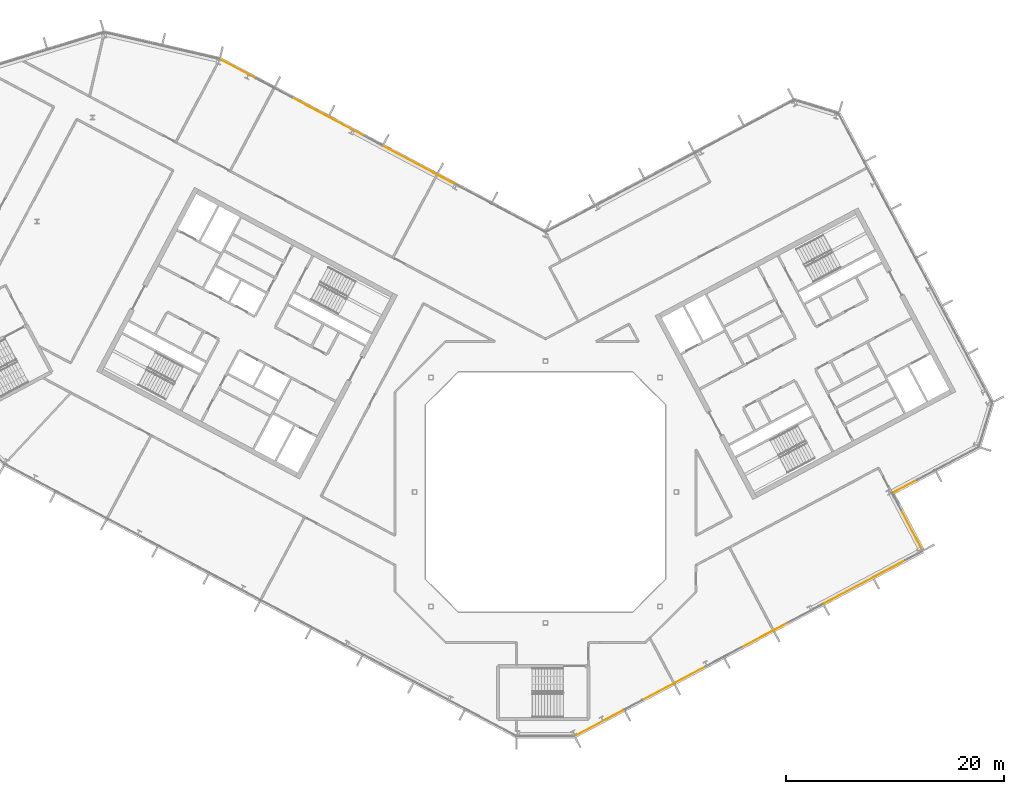
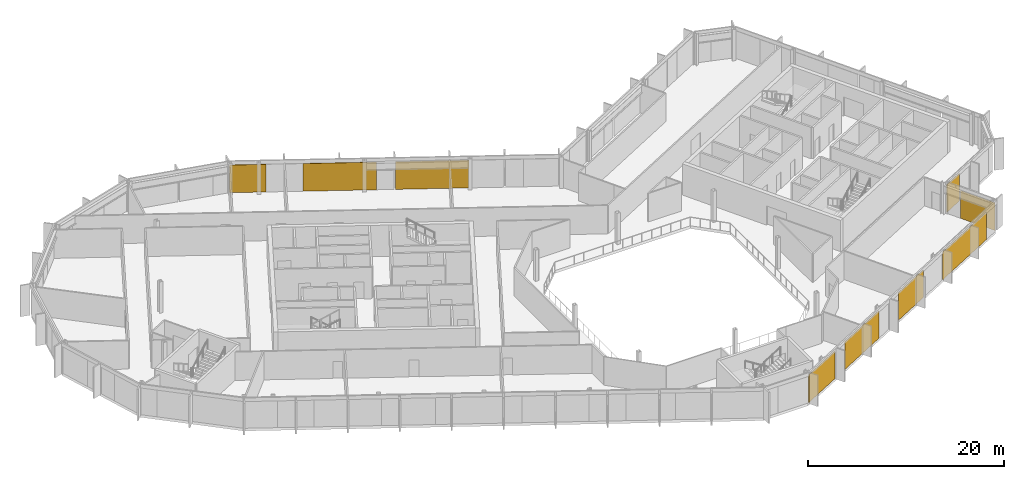
# One storey, part 24 of 26: 9 coverings, 4 elements without a shape of their own.
"""IFC4 building model written with IfcOpenShell, lengths in metres."""

from ifc_helpers import new_model, si_unit, direction, frame, origin, origin_2d, place, context, subcontext, project, spatial, rectangle, extrude, material, layer, layer_set, type_object, element, aggregate, save


model = new_model("IFC4")

# Units and contexts
model_context = context("Model", 3, precision=1e-05, world=origin(), true_north=direction((0.0, 1.0)))
body_context = subcontext(model_context, "Body", "Model", "MODEL_VIEW")
ifc_project = project(units=[si_unit("LENGTHUNIT", "METRE"), si_unit("AREAUNIT", "SQUARE_METRE"), si_unit("VOLUMEUNIT", "CUBIC_METRE"), si_unit("PLANEANGLEUNIT", "RADIAN"), si_unit("MASSUNIT", "GRAM", prefix="KILO")], contexts=[model_context])

# Site, building, storey
site_placement = place(None, origin())
site = spatial("IfcSite", under=ifc_project, at=site_placement, CompositionType="ELEMENT")
building_placement = place(site_placement, origin())
building = spatial("IfcBuilding", under=site, at=building_placement, Name="Cormorant Relay Tower", CompositionType="ELEMENT")
storey_placement = place(building_placement, frame((0.0, 0.0, 304.800048828125)))
storey = spatial("IfcBuildingStorey", under=building, at=storey_placement, Name="L69", CompositionType="ELEMENT", Elevation=304.800048828125)

# Curtain wall, coverings
ifc_material_1 = material(Name="Aluminium 6063-T6 anodised bronze", Category="aluminium")
ifc_layer_1 = layer(ifc_material_1, 0.199951171875)
ifc_layer_set_1 = layer_set([ifc_layer_1], Name="CW1 unitised bronze curtain wall with vertical fins")
curtain_wall_type = type_object("IfcCurtainWallType", Name="CW1 unitised bronze curtain wall with vertical fins", PredefinedType="NOTDEFINED", material=ifc_layer_set_1)
curtain_wall_1_placement = place(storey_placement, origin())
curtain_wall_1 = element("IfcCurtainWall", 1, at=curtain_wall_1_placement, inside=storey, type_object=curtain_wall_type, Name="CW1 curtain wall 2", PredefinedType="NOTDEFINED")
ifc_material_2 = material(Name="Pale bronze anodised aluminium insulated panel", Category="aluminium")
ifc_layer_2 = layer(ifc_material_2, 0.0400390625)
ifc_layer_set_2 = layer_set([ifc_layer_2], Name="CW1 pale bronze insulated panel 40")
covering_type = type_object("IfcCoveringType", Name="CW1 pale bronze insulated panel 40", PredefinedType="CLADDING", material=ifc_layer_set_2)
covering_1_placement = place(storey_placement, frame((4.939208984375, -21.180419921875, 0.0), z_axis=(0.0, 0.0, 1.0), x_axis=(0.882947592859, 0.469471562786, 0.0)))
covering_1 = element("IfcCovering", 2, at=covering_1_placement, type_object=covering_type, Name="CW1 panel S00", PredefinedType="CLADDING", context=body_context, shape_type="SweptSolid", body=[
    extrude(rectangle(XDim=5.0166015625, YDim=0.0400390625, at=origin_2d()), origin(), (0.0, 0.0, 1.0), 3.449951171875),
])
covering_2_placement = place(storey_placement, frame((11.78173828125, -17.5419921875, 0.0), z_axis=(0.0, 0.0, 1.0), x_axis=(0.882947592859, 0.469471562786, 0.0)))
covering_2 = element("IfcCovering", 3, at=covering_2_placement, type_object=covering_type, Name="CW1 panel S02", PredefinedType="CLADDING", context=body_context, shape_type="SweptSolid", body=[
    extrude(rectangle(XDim=6.5830078125, YDim=0.0400390625, at=origin_2d()), origin(), (0.0, 0.0, 1.0), 3.449951171875),
])
covering_3_placement = place(storey_placement, frame((20.11083984375, -13.113525390625, 0.0), z_axis=(0.0, 0.0, 1.0), x_axis=(0.882947592859, 0.469471562786, 0.0)))
covering_3 = element("IfcCovering", 4, at=covering_3_placement, type_object=covering_type, Name="CW1 panel S05", PredefinedType="CLADDING", context=body_context, shape_type="SweptSolid", body=[
    extrude(rectangle(XDim=4.783203125, YDim=0.0400390625, at=origin_2d()), origin(), (0.0, 0.0, 1.0), 3.449951171875),
])
covering_4_placement = place(storey_placement, frame((29.267578125, -8.244873046875, 0.0), z_axis=(0.0, 0.0, 1.0), x_axis=(0.882947592859, 0.469471562786, 0.0)))
covering_4 = element("IfcCovering", 5, at=covering_4_placement, type_object=covering_type, Name="CW1 panel S07", PredefinedType="CLADDING", context=body_context, shape_type="SweptSolid", body=[
    extrude(rectangle(XDim=8.4580078125, YDim=0.0400390625, at=origin_2d()), origin(), (0.0, 0.0, 1.0), 3.449951171875),
])
aggregate(curtain_wall_1, [covering_1, covering_2, covering_3, covering_4])

# Curtain wall, covering
curtain_wall_2_placement = place(storey_placement, origin())
curtain_wall_2 = element("IfcCurtainWall", 6, at=curtain_wall_2_placement, inside=storey, type_object=curtain_wall_type, Name="CW1 curtain wall 3", PredefinedType="NOTDEFINED")
covering_5_placement = place(storey_placement, frame((33.595703125, -3.5, 0.0), z_axis=(0.0, 0.0, 1.0), x_axis=(-0.469471562786, 0.882947592859, 0.0)))
covering_5 = element("IfcCovering", 7, at=covering_5_placement, type_object=covering_type, Name="CW1 panel S00", PredefinedType="CLADDING", context=body_context, shape_type="SweptSolid", body=[
    extrude(rectangle(XDim=4.125, YDim=0.0400390625, at=origin_2d()), origin(), (0.0, 0.0, 1.0), 3.449951171875),
])
aggregate(curtain_wall_2, [covering_5])

curtain_wall_3_placement = place(storey_placement, origin())
curtain_wall_3 = element("IfcCurtainWall", 8, at=curtain_wall_3_placement, inside=storey, type_object=curtain_wall_type, Name="CW1 curtain wall 4", PredefinedType="NOTDEFINED")
covering_6_placement = place(storey_placement, frame((32.9990234375, 0.53466796875, 0.0), z_axis=(0.0, 0.0, 1.0), x_axis=(0.882947592859, 0.469471562786, 0.0)))
covering_6 = element("IfcCovering", 9, at=covering_6_placement, type_object=covering_type, Name="CW1 panel S00", PredefinedType="CLADDING", context=body_context, shape_type="SweptSolid", body=[
    extrude(rectangle(XDim=2.47509765625, YDim=0.0400390625, at=origin_2d()), origin(), (0.0, 0.0, 1.0), 3.449951171875),
])
aggregate(curtain_wall_3, [covering_6])

# Curtain wall, coverings
curtain_wall_4_placement = place(storey_placement, origin())
curtain_wall_4 = element("IfcCurtainWall", 10, at=curtain_wall_4_placement, inside=storey, type_object=curtain_wall_type, Name="CW1 curtain wall 9", PredefinedType="NOTDEFINED")
covering_7_placement = place(storey_placement, frame((-11.537841796875, 29.94140625, 0.0), z_axis=(0.0, 0.0, 1.0), x_axis=(-0.882947592859, 0.469471562786, 0.0)))
covering_7 = element("IfcCovering", 11, at=covering_7_placement, type_object=covering_type, Name="CW1 panel S03", PredefinedType="CLADDING", context=body_context, shape_type="SweptSolid", body=[
    extrude(rectangle(XDim=7.528076171875, YDim=0.0400390625, at=origin_2d()), origin(), (0.0, 0.0, 1.0), 3.449951171875),
])
covering_8_placement = place(storey_placement, frame((-19.906494140625, 34.39111328125, 0.0), z_axis=(0.0, 0.0, 1.0), x_axis=(-0.882947592859, 0.469471562786, 0.0)))
covering_8 = element("IfcCovering", 12, at=covering_8_placement, type_object=covering_type, Name="CW1 panel S05", PredefinedType="CLADDING", context=body_context, shape_type="SweptSolid", body=[
    extrude(rectangle(XDim=7.528076171875, YDim=0.0400390625, at=origin_2d()), origin(), (0.0, 0.0, 1.0), 3.449951171875),
])
covering_9_placement = place(storey_placement, frame((-28.20263671875, 38.80224609375, 0.0), z_axis=(0.0, 0.0, 1.0), x_axis=(-0.882947592859, 0.469471562786, 0.0)))
covering_9 = element("IfcCovering", 13, at=covering_9_placement, type_object=covering_type, Name="CW1 panel S08", PredefinedType="CLADDING", context=body_context, shape_type="SweptSolid", body=[
    extrude(rectangle(XDim=3.763916015625, YDim=0.0400390625, at=origin_2d()), origin(), (0.0, 0.0, 1.0), 3.449951171875),
])
aggregate(curtain_wall_4, [covering_7, covering_8, covering_9])

save(model, "model.ifc")
